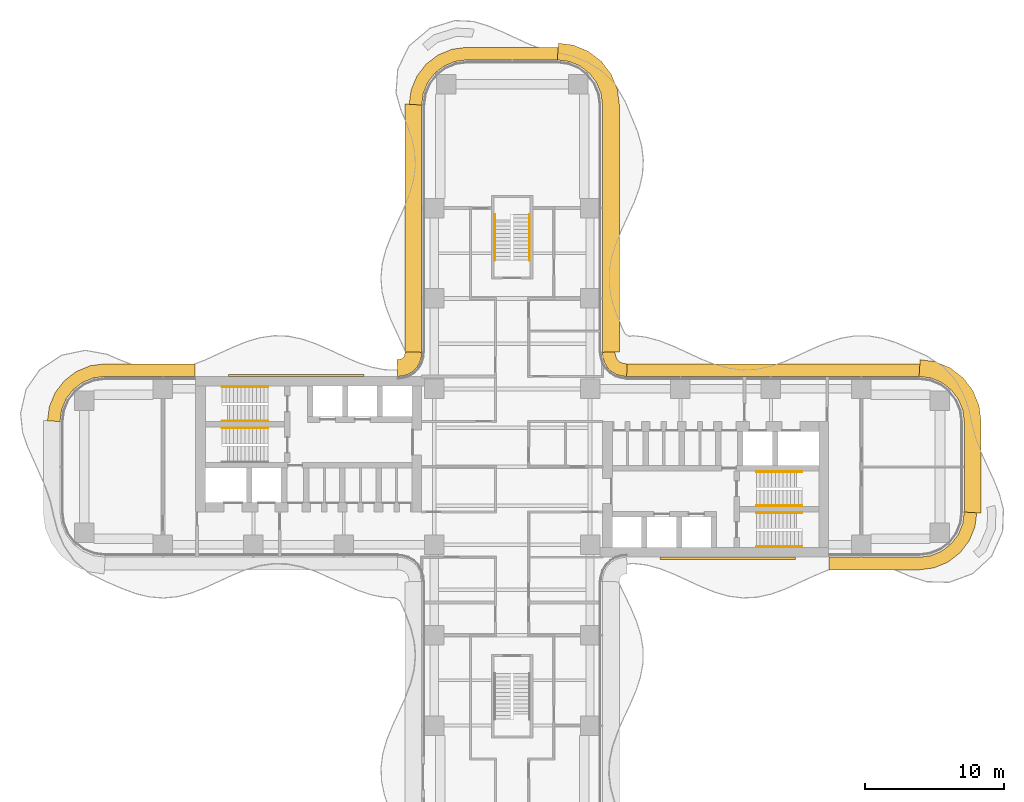
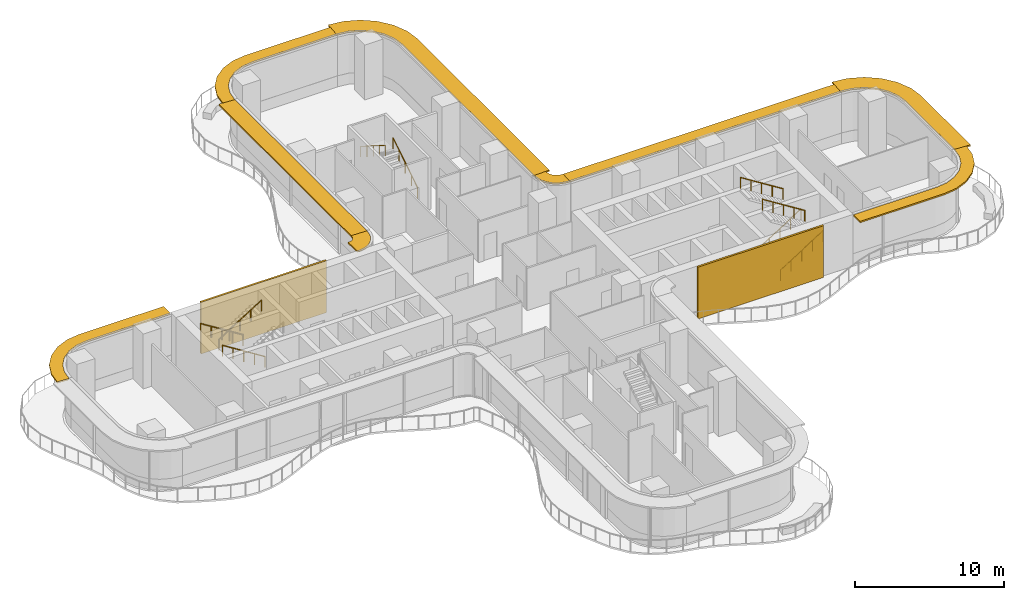
# One storey, part 22 of 22: 9 railings, 9 shading devices, 2 coverings.
"""IFC4 building model written with IfcOpenShell, lengths in metres."""

from ifc_helpers import new_model, si_unit, direction, frame, origin, origin_2d, place, context, subcontext, project, spatial, polyline, circle, outline, extrude, source, transform, mapped, material, layer, layer_set, type_object, element, save


model = new_model("IFC4")

# Units and contexts
model_context = context("Model", 3, precision=1e-05, world=origin(), true_north=direction((0.0, 1.0)))
body_context = subcontext(model_context, "Body", "Model", "MODEL_VIEW")
ifc_project = project(units=[si_unit("LENGTHUNIT", "METRE"), si_unit("AREAUNIT", "SQUARE_METRE"), si_unit("VOLUMEUNIT", "CUBIC_METRE"), si_unit("PLANEANGLEUNIT", "RADIAN"), si_unit("MASSUNIT", "GRAM", prefix="KILO")], contexts=[model_context])

# Site, building, storey
site_placement = place(None, origin())
site = spatial("IfcSite", under=ifc_project, at=site_placement, CompositionType="ELEMENT")
building_placement = place(site_placement, origin())
building = spatial("IfcBuilding", under=site, at=building_placement, Name="Trellis Farm Tower", CompositionType="ELEMENT")
storey_placement = place(building_placement, frame((0.0, 0.0, 52.0)))
storey = spatial("IfcBuildingStorey", under=building, at=storey_placement, Name="L10", CompositionType="ELEMENT", Elevation=52.0)

# Railings
ifc_material_1 = material(Name="Stainless steel", Category="steel")
railing_type = type_object("IfcRailingType", Name="STAIR HANDRAIL 900", PredefinedType="HANDRAIL", material=ifc_material_1)
shared_shape_1 = source(origin(), body_context, "Body", "SweptSolid", [
    extrude(circle(Radius=0.02392578125, at=origin_2d()), frame((0.0, 0.0, 0.8759765625), z_axis=(0.0, 0.846319618018, 0.532675421018), x_axis=(-1.0, 0.0, 0.0)), (0.0, 0.0, 1.0), 3.89892578125),
    extrude(circle(Radius=0.02099609375, at=origin_2d()), origin(), (0.0, 0.0, 1.0), 0.851806640625),
    extrude(circle(Radius=0.02099609375, at=origin_2d()), frame((0.0, 0.824951171875, 0.519287109375)), (0.0, 0.0, 1.0), 0.851806640625),
    extrude(circle(Radius=0.02099609375, at=origin_2d()), frame((0.0, 1.64990234375, 1.03857421875)), (0.0, 0.0, 1.0), 0.851806640625),
    extrude(circle(Radius=0.02099609375, at=origin_2d()), frame((0.0, 2.474853515625, 1.5576171875)), (0.0, 0.0, 1.0), 0.851806640625),
    extrude(circle(Radius=0.02099609375, at=origin_2d()), frame((0.0, 3.2998046875, 2.076904296875)), (0.0, 0.0, 1.0), 0.851806640625),
])
railing_1_placement = place(storey_placement, frame((1.25, 14.85009765625, 0.173095703125)))
element("IfcRailing", 1, at=railing_1_placement, inside=storey, type_object=railing_type, Name="Stair handrail", PredefinedType="HANDRAIL", context=body_context, shape_type="MappedRepresentation", body=[
    mapped(shared_shape_1, transform((0.0, 0.0, 0.0))),
])
shared_shape_2 = source(origin(), body_context, "Body", "SweptSolid", [
    extrude(circle(Radius=0.02392578125, at=origin_2d()), frame((0.0, 0.0, 0.8759765625), z_axis=(0.0, -0.846319618018, 0.532675421018), x_axis=(1.0, 0.0, 0.0)), (0.0, 0.0, 1.0), 3.89892578125),
    extrude(circle(Radius=0.02099609375, at=origin_2d()), origin(), (0.0, 0.0, 1.0), 0.851806640625),
    extrude(circle(Radius=0.02099609375, at=origin_2d()), frame((0.0, -0.824951171875, 0.519287109375)), (0.0, 0.0, 1.0), 0.851806640625),
    extrude(circle(Radius=0.02099609375, at=origin_2d()), frame((0.0, -1.64990234375, 1.03857421875)), (0.0, 0.0, 1.0), 0.851806640625),
    extrude(circle(Radius=0.02099609375, at=origin_2d()), frame((0.0, -2.474853515625, 1.5576171875)), (0.0, 0.0, 1.0), 0.851806640625),
    extrude(circle(Radius=0.02099609375, at=origin_2d()), frame((0.0, -3.2998046875, 2.076904296875)), (0.0, 0.0, 1.0), 0.851806640625),
])
railing_2_placement = place(storey_placement, frame((-1.25, 18.14990234375, 2.423095703125)))
element("IfcRailing", 2, at=railing_2_placement, inside=storey, type_object=railing_type, Name="Stair handrail", PredefinedType="HANDRAIL", context=body_context, shape_type="MappedRepresentation", body=[
    mapped(shared_shape_2, transform((0.0, 0.0, 0.0))),
])
shared_shape_3 = source(origin(), body_context, "Body", "SweptSolid", [
    extrude(circle(Radius=0.02392578125, at=origin_2d()), frame((0.0, 0.0, 0.8759765625), z_axis=(0.846337383501, 0.0, 0.532647194011), x_axis=(0.0, 1.0, 0.0)), (0.0, 0.0, 1.0), 3.899169921875),
    extrude(circle(Radius=0.02099609375, at=origin_2d()), origin(), (0.0, 0.0, 1.0), 0.851806640625),
    extrude(circle(Radius=0.02099609375, at=origin_2d()), frame((0.824951171875, 0.0, 0.519287109375)), (0.0, 0.0, 1.0), 0.851806640625),
    extrude(circle(Radius=0.02099609375, at=origin_2d()), frame((1.64990234375, 0.0, 1.03857421875)), (0.0, 0.0, 1.0), 0.851806640625),
    extrude(circle(Radius=0.02099609375, at=origin_2d()), frame((2.47509765625, 0.0, 1.5576171875)), (0.0, 0.0, 1.0), 0.851806640625),
    extrude(circle(Radius=0.02099609375, at=origin_2d()), frame((3.300048828125, 0.0, 2.076904296875)), (0.0, 0.0, 1.0), 0.851806640625),
])
for number, where, name in (
    (3, (17.550048828125, -5.75, 0.173095703125), "Stair handrail"),
    (4, (17.550048828125, -2.800048828125, 0.173095703125), "Stair handrail"),
    (5, (-20.85009765625, 3.300048828125, 2.423095703125), "Stair handrail"),
):
    element("IfcRailing", number, at=place(storey_placement, frame(where)), inside=storey, type_object=railing_type, Name=name, PredefinedType="HANDRAIL", context=body_context, shape_type="MappedRepresentation", body=[
        mapped(shared_shape_3, transform((0.0, 0.0, 0.0))),
    ])
shared_shape_4 = source(origin(), body_context, "Body", "SweptSolid", [
    extrude(circle(Radius=0.02392578125, at=origin_2d()), frame((0.0, 0.0, 0.8759765625), z_axis=(-0.846337383501, 0.0, 0.532647194011), x_axis=(0.0, -1.0, 0.0)), (0.0, 0.0, 1.0), 3.899169921875),
    extrude(circle(Radius=0.02099609375, at=origin_2d()), origin(), (0.0, 0.0, 1.0), 0.851806640625),
    extrude(circle(Radius=0.02099609375, at=origin_2d()), frame((-0.824951171875, 0.0, 0.519287109375)), (0.0, 0.0, 1.0), 0.851806640625),
    extrude(circle(Radius=0.02099609375, at=origin_2d()), frame((-1.64990234375, 0.0, 1.03857421875)), (0.0, 0.0, 1.0), 0.851806640625),
    extrude(circle(Radius=0.02099609375, at=origin_2d()), frame((-2.47509765625, 0.0, 1.5576171875)), (0.0, 0.0, 1.0), 0.851806640625),
    extrude(circle(Radius=0.02099609375, at=origin_2d()), frame((-3.300048828125, 0.0, 2.076904296875)), (0.0, 0.0, 1.0), 0.851806640625),
])
for number, where, name in (
    (6, (20.85009765625, -3.300048828125, 2.423095703125), "Stair handrail"),
    (7, (20.85009765625, -0.35009765625, 2.423095703125), "Stair handrail"),
    (8, (-17.550048828125, 5.75, 0.173095703125), "Stair handrail"),
    (9, (-17.550048828125, 2.800048828125, 0.173095703125), "Stair handrail"),
):
    element("IfcRailing", number, at=place(storey_placement, frame(where)), inside=storey, type_object=railing_type, Name=name, PredefinedType="HANDRAIL", context=body_context, shape_type="MappedRepresentation", body=[
        mapped(shared_shape_4, transform((0.0, 0.0, 0.0))),
    ])

# Shading devices
ifc_material_2 = material(Name="Aluminium extrusion 6063-T6", Category="aluminium")
ifc_layer_1 = layer(ifc_material_2, 0.1201171875)
ifc_layer_set_1 = layer_set([ifc_layer_1], Name="SUNSHADE BLADE 900")
shading_device_type_1 = type_object("IfcShadingDeviceType", Name="SUNSHADE BLADE 900", PredefinedType="USERDEFINED", material=ifc_layer_set_1)
shared_shape_5 = source(origin(), body_context, "Body", "SweptSolid", [
    extrude(outline(polyline([(22.780029296875, -7.39990234375), (29.30908203125, -7.39990234375), (30.326171875, -7.26611328125), (31.328857421875, -6.850830078125), (32.18994140625, -6.18994140625), (32.850830078125, -5.328857421875), (33.26611328125, -4.326171875), (33.39990234375, -3.30908203125), (32.5, -3.25), (32.38916015625, -4.091064453125), (32.064697265625, -4.875), (31.548095703125, -5.548095703125), (30.875, -6.064697265625), (30.091064453125, -6.38916015625), (29.25, -6.5), (22.780029296875, -6.5), (22.780029296875, -7.39990234375)])), origin(), (0.0, 0.0, 1.0), 0.119873046875),
])
placement_1 = place(storey_placement, frame((0.0, 0.0, 4.090087890625)))
element("IfcShadingDevice", 10, at=placement_1, inside=storey, type_object=shading_device_type_1, Name="SD1 007", ObjectType="SUNSHADE", PredefinedType="USERDEFINED", context=body_context, shape_type="MappedRepresentation", body=[
    mapped(shared_shape_5, transform((0.0, 0.0, 0.0))),
])
ifc_layer_2 = layer(ifc_material_2, 0.1201171875)
ifc_layer_set_2 = layer_set([ifc_layer_2], Name="SUNSHADE BLADE 1200")
shading_device_type_2 = type_object("IfcShadingDeviceType", Name="SUNSHADE BLADE 1200", PredefinedType="USERDEFINED", material=ifc_layer_set_2)
shared_shape_6 = source(origin(), body_context, "Body", "SweptSolid", [
    extrude(outline(polyline([(33.699951171875, -3.32861328125), (33.699951171875, 3.32861328125), (33.558349609375, 4.404541015625), (33.11279296875, 5.480224609375), (32.404052734375, 6.404052734375), (31.480224609375, 7.11279296875), (30.404541015625, 7.558349609375), (29.32861328125, 7.699951171875), (29.25, 6.5), (30.091064453125, 6.38916015625), (30.875, 6.064697265625), (31.548095703125, 5.548095703125), (32.064697265625, 4.875), (32.38916015625, 4.091064453125), (32.5, 3.25), (32.5, -3.25), (33.699951171875, -3.32861328125)])), origin(), (0.0, 0.0, 1.0), 0.119873046875),
])
element("IfcShadingDevice", 11, at=placement_1, inside=storey, type_object=shading_device_type_2, Name="SD2 008", ObjectType="SUNSHADE", PredefinedType="USERDEFINED", context=body_context, shape_type="MappedRepresentation", body=[
    mapped(shared_shape_6, transform((0.0, 0.0, 0.0))),
])
shared_shape_7 = source(origin(), body_context, "Body", "SweptSolid", [
    extrude(outline(polyline([(29.30908203125, 7.39990234375), (8.2607421875, 7.39990234375), (8.2314453125, 6.5), (29.25, 6.5), (29.30908203125, 7.39990234375)])), origin(), (0.0, 0.0, 1.0), 0.119873046875),
])
element("IfcShadingDevice", 12, at=placement_1, inside=storey, type_object=shading_device_type_1, Name="SD1 009", ObjectType="SUNSHADE", PredefinedType="USERDEFINED", context=body_context, shape_type="MappedRepresentation", body=[
    mapped(shared_shape_7, transform((0.0, 0.0, 0.0))),
])
shared_shape_8 = source(origin(), body_context, "Body", "SweptSolid", [
    extrude(outline(polyline([(8.2607421875, 7.39990234375), (8.107666015625, 7.409912109375), (8.091552734375, 7.412109375), (7.85595703125, 7.475341796875), (7.697021484375, 7.567138671875), (7.567138671875, 7.697021484375), (7.475341796875, 7.85595703125), (7.412109375, 8.091552734375), (7.409912109375, 8.107666015625), (7.39990234375, 8.2607421875), (6.5, 8.2314453125), (6.513916015625, 8.01953125), (6.527587890625, 7.91552734375), (6.63671875, 7.508544921875), (6.846923828125, 7.144287109375), (7.144287109375, 6.846923828125), (7.508544921875, 6.63671875), (7.91552734375, 6.527587890625), (8.01953125, 6.513916015625), (8.2314453125, 6.5), (8.2607421875, 7.39990234375)])), origin(), (0.0, 0.0, 1.0), 0.119873046875),
])
element("IfcShadingDevice", 13, at=placement_1, inside=storey, type_object=shading_device_type_1, Name="SD1 010", ObjectType="SUNSHADE", PredefinedType="USERDEFINED", context=body_context, shape_type="MappedRepresentation", body=[
    mapped(shared_shape_8, transform((0.0, 0.0, 0.0))),
])
shared_shape_9 = source(origin(), body_context, "Body", "SweptSolid", [
    extrude(outline(polyline([(7.699951171875, 8.270751953125), (7.699951171875, 26.07861328125), (7.558349609375, 27.154541015625), (7.11279296875, 28.230224609375), (6.404052734375, 29.154052734375), (5.480224609375, 29.86279296875), (4.404541015625, 30.308349609375), (3.32861328125, 30.449951171875), (3.25, 29.25), (4.091064453125, 29.13916015625), (4.875, 28.814697265625), (5.548095703125, 28.298095703125), (6.064697265625, 27.625), (6.38916015625, 26.841064453125), (6.5, 26.0), (6.5, 8.2314453125), (7.699951171875, 8.270751953125)])), origin(), (0.0, 0.0, 1.0), 0.119873046875),
])
element("IfcShadingDevice", 14, at=placement_1, inside=storey, type_object=shading_device_type_2, Name="SD2 011", ObjectType="SUNSHADE", PredefinedType="USERDEFINED", context=body_context, shape_type="MappedRepresentation", body=[
    mapped(shared_shape_9, transform((0.0, 0.0, 0.0))),
])
shared_shape_10 = source(origin(), body_context, "Body", "SweptSolid", [
    extrude(outline(polyline([(3.30908203125, 30.14990234375), (-3.30908203125, 30.14990234375), (-4.326171875, 30.01611328125), (-5.328857421875, 29.600830078125), (-6.18994140625, 28.93994140625), (-6.850830078125, 28.078857421875), (-7.26611328125, 27.076171875), (-7.39990234375, 26.05908203125), (-6.5, 26.0), (-6.38916015625, 26.841064453125), (-6.064697265625, 27.625), (-5.548095703125, 28.298095703125), (-4.875, 28.814697265625), (-4.091064453125, 29.13916015625), (-3.25, 29.25), (3.25, 29.25), (3.30908203125, 30.14990234375)])), origin(), (0.0, 0.0, 1.0), 0.119873046875),
])
element("IfcShadingDevice", 15, at=placement_1, inside=storey, type_object=shading_device_type_1, Name="SD1 012", ObjectType="SUNSHADE", PredefinedType="USERDEFINED", context=body_context, shape_type="MappedRepresentation", body=[
    mapped(shared_shape_10, transform((0.0, 0.0, 0.0))),
])
shared_shape_11 = source(origin(), body_context, "Body", "SweptSolid", [
    extrude(outline(polyline([(-7.699951171875, 26.07861328125), (-7.699951171875, 8.270751953125), (-6.5, 8.2314453125), (-6.5, 26.0), (-7.699951171875, 26.07861328125)])), origin(), (0.0, 0.0, 1.0), 0.119873046875),
])
element("IfcShadingDevice", 16, at=placement_1, inside=storey, type_object=shading_device_type_2, Name="SD2 013", ObjectType="SUNSHADE", PredefinedType="USERDEFINED", context=body_context, shape_type="MappedRepresentation", body=[
    mapped(shared_shape_11, transform((0.0, 0.0, 0.0))),
])
shared_shape_12 = source(origin(), body_context, "Body", "SweptSolid", [
    extrude(outline(polyline([(-7.699951171875, 8.270751953125), (-7.708740234375, 8.13720703125), (-7.70703125, 8.150146484375), (-7.7548828125, 7.9716796875), (-7.80712890625, 7.881103515625), (-7.881103515625, 7.80712890625), (-7.9716796875, 7.7548828125), (-8.150146484375, 7.70703125), (-8.13720703125, 7.708740234375), (-8.270751953125, 7.699951171875), (-8.2314453125, 6.5), (-8.01953125, 6.513916015625), (-7.91552734375, 6.527587890625), (-7.508544921875, 6.63671875), (-7.144287109375, 6.846923828125), (-6.846923828125, 7.144287109375), (-6.63671875, 7.508544921875), (-6.527587890625, 7.91552734375), (-6.513916015625, 8.01953125), (-6.5, 8.2314453125), (-7.699951171875, 8.270751953125)])), origin(), (0.0, 0.0, 1.0), 0.119873046875),
])
element("IfcShadingDevice", 17, at=placement_1, inside=storey, type_object=shading_device_type_2, Name="SD2 014", ObjectType="SUNSHADE", PredefinedType="USERDEFINED", context=body_context, shape_type="MappedRepresentation", body=[
    mapped(shared_shape_12, transform((0.0, 0.0, 0.0))),
])
shared_shape_13 = source(origin(), body_context, "Body", "SweptSolid", [
    extrude(outline(polyline([(-22.780029296875, 7.39990234375), (-29.30908203125, 7.39990234375), (-30.326171875, 7.26611328125), (-31.328857421875, 6.850830078125), (-32.18994140625, 6.18994140625), (-32.850830078125, 5.328857421875), (-33.26611328125, 4.326171875), (-33.39990234375, 3.30908203125), (-32.5, 3.25), (-32.38916015625, 4.091064453125), (-32.064697265625, 4.875), (-31.548095703125, 5.548095703125), (-30.875, 6.064697265625), (-30.091064453125, 6.38916015625), (-29.25, 6.5), (-22.780029296875, 6.5), (-22.780029296875, 7.39990234375)])), origin(), (0.0, 0.0, 1.0), 0.119873046875),
])
element("IfcShadingDevice", 18, at=placement_1, inside=storey, type_object=shading_device_type_1, Name="SD1 015", ObjectType="SUNSHADE", PredefinedType="USERDEFINED", context=body_context, shape_type="MappedRepresentation", body=[
    mapped(shared_shape_13, transform((0.0, 0.0, 0.0))),
])

# Coverings
ifc_material_3 = material(Name="Perforated precast screen (cobogo)", Category="concrete")
ifc_layer_3 = layer(ifc_material_3, 0.14990234375)
ifc_layer_set_3 = layer_set([ifc_layer_3], Name="COBOGO SCREEN PANEL")
covering_type = type_object("IfcCoveringType", Name="COBOGO SCREEN PANEL", PredefinedType="USERDEFINED", material=ifc_layer_set_3)
shared_shape_14 = source(origin(), body_context, "Body", "SweptSolid", [
    extrude(outline(polyline([(10.630615234375, -6.64990234375), (20.380615234375, -6.64990234375), (20.380615234375, -6.5), (10.630615234375, -6.5), (10.630615234375, -6.64990234375)])), origin(), (0.0, 0.0, 1.0), 4.25),
])
placement_2 = place(storey_placement, origin())
element("IfcCovering", 19, at=placement_2, inside=storey, type_object=covering_type, Name="SC1 01", ObjectType="SCREEN", PredefinedType="USERDEFINED", context=body_context, shape_type="MappedRepresentation", body=[
    mapped(shared_shape_14, transform((0.0, 0.0, 0.0))),
])
shared_shape_15 = source(origin(), body_context, "Body", "SweptSolid", [
    extrude(outline(polyline([(-10.630615234375, 6.64990234375), (-20.380615234375, 6.64990234375), (-20.380615234375, 6.5), (-10.630615234375, 6.5), (-10.630615234375, 6.64990234375)])), origin(), (0.0, 0.0, 1.0), 4.25),
])
element("IfcCovering", 20, at=placement_2, inside=storey, type_object=covering_type, Name="SC1 02", ObjectType="SCREEN", PredefinedType="USERDEFINED", context=body_context, shape_type="MappedRepresentation", body=[
    mapped(shared_shape_15, transform((0.0, 0.0, 0.0))),
])

save(model, "model.ifc")
